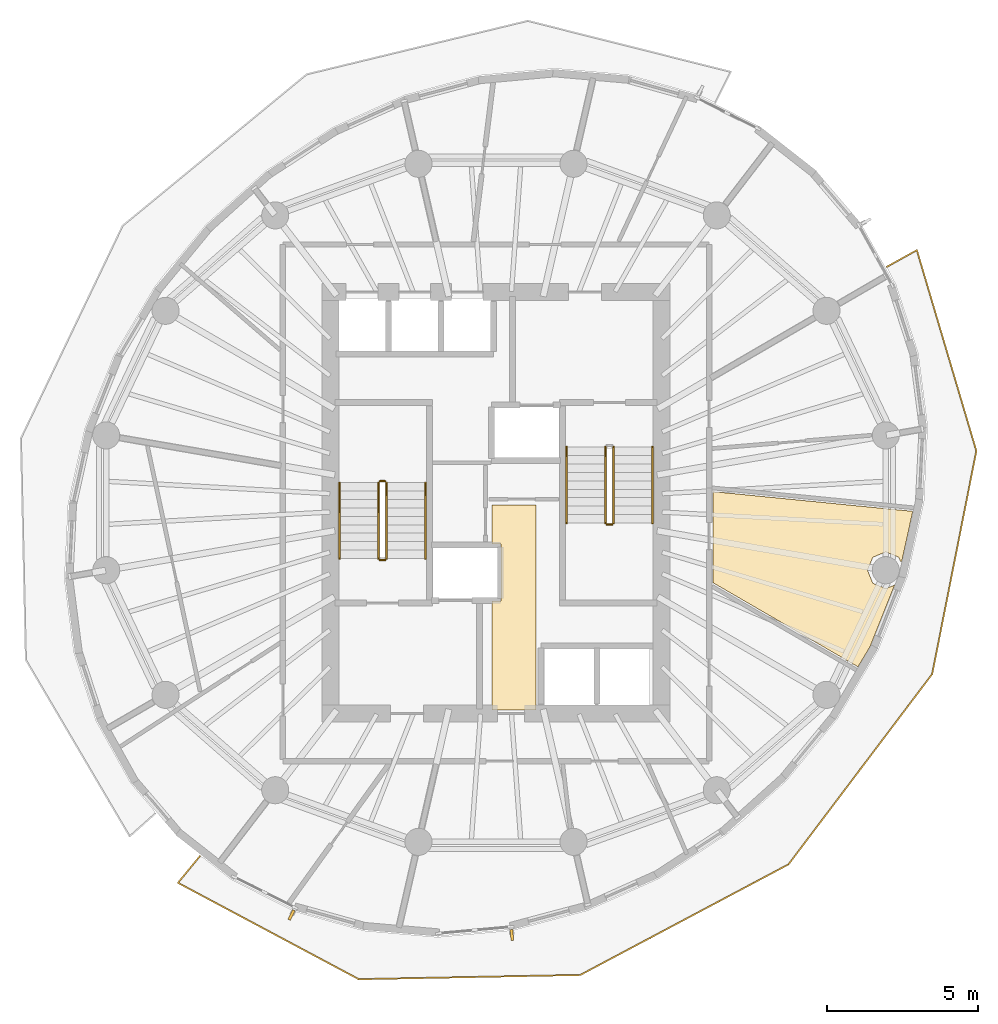
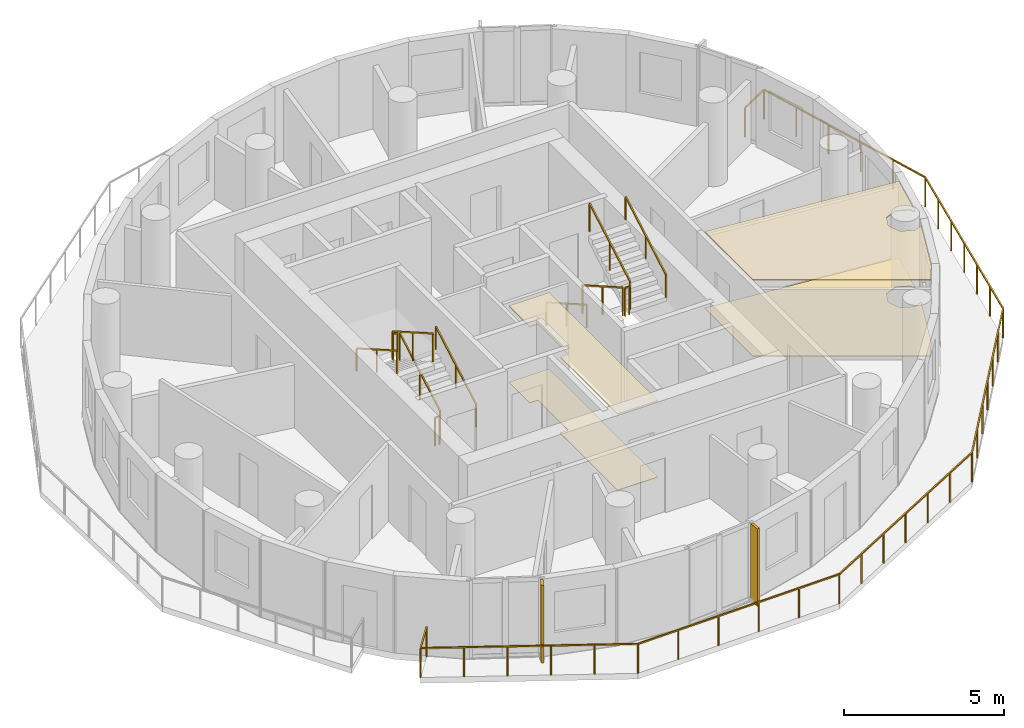
# One storey, part 8 of 10: 12 railings, 4 coverings, 2 shading devices.
"""IFC4 building model written with IfcOpenShell, lengths in metres."""

from ifc_helpers import new_model, si_unit, direction, frame, origin, origin_2d, place, context, subcontext, project, spatial, polyline, rectangle, outline, extrude, material, layer, layer_set, type_object, element, save


model = new_model("IFC4")

# Units and contexts
model_context = context("Model", 3, precision=1e-05, world=origin(), true_north=direction((0.0, 1.0)))
body_context = subcontext(model_context, "Body", "Model", "MODEL_VIEW")
ifc_project = project(units=[si_unit("LENGTHUNIT", "METRE"), si_unit("AREAUNIT", "SQUARE_METRE"), si_unit("VOLUMEUNIT", "CUBIC_METRE"), si_unit("PLANEANGLEUNIT", "RADIAN"), si_unit("MASSUNIT", "GRAM", prefix="KILO")], contexts=[model_context])

# Site, building, storey
site_placement = place(None, origin())
site = spatial("IfcSite", under=ifc_project, at=site_placement, CompositionType="ELEMENT")
building_placement = place(site_placement, origin())
building = spatial("IfcBuilding", under=site, at=building_placement, Name="Veldorim Arch Residences", CompositionType="ELEMENT")
storey_placement = place(building_placement, frame((0.0, 0.0, 185.43994140625)))
storey = spatial("IfcBuildingStorey", under=building, at=storey_placement, Name="L55", CompositionType="ELEMENT", Elevation=185.43994140625)

# Railings
ifc_material_1 = material(Name="Aluminium", Category="aluminium")
railing_type_1 = type_object("IfcRailingType", Name="Balcony & Terrace Laminated Glass Balustrade 1150", PredefinedType="BALUSTRADE", material=ifc_material_1)
railing_1_placement = place(storey_placement, frame((22.165283203125, 12.267822265625, 0.0)))
element("IfcRailing", 1, at=railing_1_placement, inside=storey, type_object=railing_type_1, Name="L55 crescent balcony safety balustrade B", PredefinedType="BALUSTRADE", context=body_context, shape_type="SweptSolid", body=[
    extrude(rectangle(XDim=0.048095703125, YDim=0.048095703125, at=origin_2d()), frame((0.0, 0.0, 1.1259765625), z_axis=(-0.63473942336, -0.772726254525, 0.0), x_axis=(0.772726254525, -0.63473942336, 0.0)), (0.0, 0.0, 1.0), 1.150146484375),
    extrude(rectangle(XDim=0.048095703125, YDim=0.048095703125, at=origin_2d()), frame((-0.72998046875, -0.888671875, 1.1259765625), z_axis=(0.882440269535, -0.470424458019, 0.0), x_axis=(0.470424458019, 0.882440269535, 0.0)), (0.0, 0.0, 1.0), 6.80908203125),
    extrude(rectangle(XDim=0.048095703125, YDim=0.048095703125, at=origin_2d()), frame((5.278564453125, -4.091796875, 1.1259765625), z_axis=(0.999813480167, 0.019313334178, 0.0), x_axis=(-0.019313334178, 0.999813480167, 0.0)), (0.0, 0.0, 1.0), 7.357177734375),
    extrude(rectangle(XDim=0.048095703125, YDim=0.048095703125, at=origin_2d()), frame((12.63427734375, -3.94970703125, 1.1259765625), z_axis=(0.883151640335, 0.469087603944, 0.0), x_axis=(-0.469087603944, 0.883151640335, 0.0)), (0.0, 0.0, 1.0), 7.831298828125),
    extrude(rectangle(XDim=0.048095703125, YDim=0.048095703125, at=origin_2d()), frame((19.550537109375, -0.276123046875, 1.1259765625), z_axis=(0.602542160694, 0.798087053263, 0.0), x_axis=(-0.798087053263, 0.602542160694, 0.0)), (0.0, 0.0, 1.0), 7.91943359375),
    extrude(rectangle(XDim=0.048095703125, YDim=0.048095703125, at=origin_2d()), frame((24.322265625, 6.044189453125, 1.1259765625), z_axis=(0.194176891155, 0.980966531, 0.0), x_axis=(-0.980966531, 0.194176891155, 0.0)), (0.0, 0.0, 1.0), 7.55517578125),
    extrude(rectangle(XDim=0.048095703125, YDim=0.048095703125, at=origin_2d()), frame((25.789306640625, 13.45556640625, 1.1259765625), z_axis=(-0.284062041239, 0.958805901488, 0.0), x_axis=(-0.958805901488, -0.284062041239, 0.0)), (0.0, 0.0, 1.0), 6.95654296875),
    extrude(rectangle(XDim=0.048095703125, YDim=0.048095703125, at=origin_2d()), frame((23.813232421875, 20.12548828125, 1.1259765625), z_axis=(-0.874547582746, -0.484939713278, 0.0), x_axis=(0.484939713278, -0.874547582746, 0.0)), (0.0, 0.0, 1.0), 1.14990234375),
    extrude(rectangle(XDim=0.0419921875, YDim=0.0419921875, at=origin_2d()), origin(), (0.0, 0.0, 1.0), 1.101806640625),
    extrude(rectangle(XDim=0.0419921875, YDim=0.0419921875, at=origin_2d()), frame((-0.72998046875, -0.888671875, 0.0)), (0.0, 0.0, 1.0), 1.101806640625),
    extrude(rectangle(XDim=0.0419921875, YDim=0.0419921875, at=origin_2d()), frame((0.4716796875, -1.529296875, 0.0)), (0.0, 0.0, 1.0), 1.101806640625),
    extrude(rectangle(XDim=0.0419921875, YDim=0.0419921875, at=origin_2d()), frame((1.67333984375, -2.169921875, 0.0)), (0.0, 0.0, 1.0), 1.101806640625),
    extrude(rectangle(XDim=0.0419921875, YDim=0.0419921875, at=origin_2d()), frame((2.875244140625, -2.810546875, 0.0)), (0.0, 0.0, 1.0), 1.101806640625),
    extrude(rectangle(XDim=0.0419921875, YDim=0.0419921875, at=origin_2d()), frame((4.076904296875, -3.451171875, 0.0)), (0.0, 0.0, 1.0), 1.101806640625),
    extrude(rectangle(XDim=0.0419921875, YDim=0.0419921875, at=origin_2d()), frame((5.278564453125, -4.091796875, 0.0)), (0.0, 0.0, 1.0), 1.101806640625),
    extrude(rectangle(XDim=0.0419921875, YDim=0.0419921875, at=origin_2d()), frame((6.749755859375, -4.0634765625, 0.0)), (0.0, 0.0, 1.0), 1.101806640625),
    extrude(rectangle(XDim=0.0419921875, YDim=0.0419921875, at=origin_2d()), frame((8.220947265625, -4.034912109375, 0.0)), (0.0, 0.0, 1.0), 1.101806640625),
    extrude(rectangle(XDim=0.0419921875, YDim=0.0419921875, at=origin_2d()), frame((9.69189453125, -4.006591796875, 0.0)), (0.0, 0.0, 1.0), 1.101806640625),
    extrude(rectangle(XDim=0.0419921875, YDim=0.0419921875, at=origin_2d()), frame((11.1630859375, -3.97802734375, 0.0)), (0.0, 0.0, 1.0), 1.101806640625),
    extrude(rectangle(XDim=0.0419921875, YDim=0.0419921875, at=origin_2d()), frame((12.63427734375, -3.94970703125, 0.0)), (0.0, 0.0, 1.0), 1.101806640625),
    extrude(rectangle(XDim=0.0419921875, YDim=0.0419921875, at=origin_2d()), frame((13.787109375, -3.33740234375, 0.0)), (0.0, 0.0, 1.0), 1.101806640625),
    extrude(rectangle(XDim=0.0419921875, YDim=0.0419921875, at=origin_2d()), frame((14.939697265625, -2.72509765625, 0.0)), (0.0, 0.0, 1.0), 1.101806640625),
    extrude(rectangle(XDim=0.0419921875, YDim=0.0419921875, at=origin_2d()), frame((16.09228515625, -2.11279296875, 0.0)), (0.0, 0.0, 1.0), 1.101806640625),
    extrude(rectangle(XDim=0.0419921875, YDim=0.0419921875, at=origin_2d()), frame((17.2451171875, -1.500732421875, 0.0)), (0.0, 0.0, 1.0), 1.101806640625),
    extrude(rectangle(XDim=0.0419921875, YDim=0.0419921875, at=origin_2d()), frame((18.39794921875, -0.888427734375, 0.0)), (0.0, 0.0, 1.0), 1.101806640625),
    extrude(rectangle(XDim=0.0419921875, YDim=0.0419921875, at=origin_2d()), frame((19.550537109375, -0.276123046875, 0.0)), (0.0, 0.0, 1.0), 1.101806640625),
    extrude(rectangle(XDim=0.0419921875, YDim=0.0419921875, at=origin_2d()), frame((20.345703125, 0.77734375, 0.0)), (0.0, 0.0, 1.0), 1.101806640625),
    extrude(rectangle(XDim=0.0419921875, YDim=0.0419921875, at=origin_2d()), frame((21.14111328125, 1.83056640625, 0.0)), (0.0, 0.0, 1.0), 1.101806640625),
    extrude(rectangle(XDim=0.0419921875, YDim=0.0419921875, at=origin_2d()), frame((21.9365234375, 2.884033203125, 0.0)), (0.0, 0.0, 1.0), 1.101806640625),
    extrude(rectangle(XDim=0.0419921875, YDim=0.0419921875, at=origin_2d()), frame((22.731689453125, 3.9375, 0.0)), (0.0, 0.0, 1.0), 1.101806640625),
    extrude(rectangle(XDim=0.0419921875, YDim=0.0419921875, at=origin_2d()), frame((23.52685546875, 4.99072265625, 0.0)), (0.0, 0.0, 1.0), 1.101806640625),
    extrude(rectangle(XDim=0.0419921875, YDim=0.0419921875, at=origin_2d()), frame((24.322265625, 6.044189453125, 0.0)), (0.0, 0.0, 1.0), 1.101806640625),
    extrude(rectangle(XDim=0.0419921875, YDim=0.0419921875, at=origin_2d()), frame((24.56689453125, 7.279296875, 0.0)), (0.0, 0.0, 1.0), 1.101806640625),
    extrude(rectangle(XDim=0.0419921875, YDim=0.0419921875, at=origin_2d()), frame((24.811279296875, 8.5146484375, 0.0)), (0.0, 0.0, 1.0), 1.101806640625),
    extrude(rectangle(XDim=0.0419921875, YDim=0.0419921875, at=origin_2d()), frame((25.0556640625, 9.75, 0.0)), (0.0, 0.0, 1.0), 1.101806640625),
    extrude(rectangle(XDim=0.0419921875, YDim=0.0419921875, at=origin_2d()), frame((25.30029296875, 10.985107421875, 0.0)), (0.0, 0.0, 1.0), 1.101806640625),
    extrude(rectangle(XDim=0.0419921875, YDim=0.0419921875, at=origin_2d()), frame((25.544921875, 12.22021484375, 0.0)), (0.0, 0.0, 1.0), 1.101806640625),
    extrude(rectangle(XDim=0.0419921875, YDim=0.0419921875, at=origin_2d()), frame((25.789306640625, 13.45556640625, 0.0)), (0.0, 0.0, 1.0), 1.101806640625),
    extrude(rectangle(XDim=0.0419921875, YDim=0.0419921875, at=origin_2d()), frame((25.39404296875, 14.78955078125, 0.0)), (0.0, 0.0, 1.0), 1.101806640625),
    extrude(rectangle(XDim=0.0419921875, YDim=0.0419921875, at=origin_2d()), frame((24.998779296875, 16.12353515625, 0.0)), (0.0, 0.0, 1.0), 1.101806640625),
    extrude(rectangle(XDim=0.0419921875, YDim=0.0419921875, at=origin_2d()), frame((24.603759765625, 17.45751953125, 0.0)), (0.0, 0.0, 1.0), 1.101806640625),
    extrude(rectangle(XDim=0.0419921875, YDim=0.0419921875, at=origin_2d()), frame((24.20849609375, 18.79150390625, 0.0)), (0.0, 0.0, 1.0), 1.101806640625),
    extrude(rectangle(XDim=0.0419921875, YDim=0.0419921875, at=origin_2d()), frame((23.813232421875, 20.12548828125, 0.0)), (0.0, 0.0, 1.0), 1.101806640625),
    extrude(rectangle(XDim=0.0419921875, YDim=0.0419921875, at=origin_2d()), frame((22.8076171875, 19.56787109375, 0.0)), (0.0, 0.0, 1.0), 1.101806640625),
])
ifc_material_2 = material(Name="Steel S355", Category="steel")
railing_type_2 = type_object("IfcRailingType", Name="Galvanised Steel Stair Safety Guardrail 1100", PredefinedType="GUARDRAIL", material=ifc_material_2)
railing_2_placement = place(storey_placement, frame((28.360107421875, 22.14990234375, 0.16015625)))
element("IfcRailing", 2, at=railing_2_placement, inside=storey, type_object=railing_type_2, Name="L55 ST-1 stair guard 1", PredefinedType="GUARDRAIL", context=body_context, shape_type="SweptSolid", body=[
    extrude(rectangle(XDim=0.048095703125, YDim=0.048095703125, at=origin_2d()), frame((0.0, 0.0, 1.076171875), z_axis=(0.0, 0.868253494771, 0.496120820787), x_axis=(-1.0, 0.0, 0.0)), (0.0, 0.0, 1.0), 2.90234375),
    extrude(rectangle(XDim=0.0419921875, YDim=0.0419921875, at=origin_2d()), origin(), (0.0, 0.0, 1.0), 1.052001953125),
    extrude(rectangle(XDim=0.0419921875, YDim=0.0419921875, at=origin_2d()), frame((0.0, 1.260009765625, 0.719970703125)), (0.0, 0.0, 1.0), 1.052001953125),
    extrude(rectangle(XDim=0.0419921875, YDim=0.0419921875, at=origin_2d()), frame((0.0, 2.52001953125, 1.43994140625)), (0.0, 0.0, 1.0), 1.052001953125),
])
railing_3_placement = place(storey_placement, frame((28.31005859375, 24.719970703125, 1.60009765625)))
element("IfcRailing", 3, at=railing_3_placement, inside=storey, type_object=railing_type_2, Name="L55 ST-1 stair guard 2", PredefinedType="GUARDRAIL", context=body_context, shape_type="SweptSolid", body=[
    extrude(rectangle(XDim=0.048095703125, YDim=0.048095703125, at=origin_2d()), frame((0.0, 0.0, 1.076171875), z_axis=(-1.0, 0.0, 0.0), x_axis=(0.0, -1.0, 0.0)), (0.0, 0.0, 1.0), 0.16015625),
    extrude(rectangle(XDim=0.0419921875, YDim=0.0419921875, at=origin_2d()), origin(), (0.0, 0.0, 1.0), 1.052001953125),
    extrude(rectangle(XDim=0.0419921875, YDim=0.0419921875, at=origin_2d()), frame((-0.16015625, 0.0, 0.0)), (0.0, 0.0, 1.0), 1.052001953125),
])
railing_4_placement = place(storey_placement, frame((28.10009765625, 24.669921875, 1.760009765625)))
element("IfcRailing", 4, at=railing_4_placement, inside=storey, type_object=railing_type_2, Name="L55 ST-1 stair guard 3", PredefinedType="GUARDRAIL", context=body_context, shape_type="SweptSolid", body=[
    extrude(rectangle(XDim=0.048095703125, YDim=0.048095703125, at=origin_2d()), frame((0.0, 0.0, 1.076171875), z_axis=(0.0, -0.868253494771, 0.496120820787), x_axis=(1.0, 0.0, 0.0)), (0.0, 0.0, 1.0), 2.90234375),
    extrude(rectangle(XDim=0.0419921875, YDim=0.0419921875, at=origin_2d()), origin(), (0.0, 0.0, 1.0), 1.052001953125),
    extrude(rectangle(XDim=0.0419921875, YDim=0.0419921875, at=origin_2d()), frame((0.0, -1.260009765625, 0.719970703125)), (0.0, 0.0, 1.0), 1.052001953125),
    extrude(rectangle(XDim=0.0419921875, YDim=0.0419921875, at=origin_2d()), frame((0.0, -2.52001953125, 1.43994140625)), (0.0, 0.0, 1.0), 1.052001953125),
])
railing_5_placement = place(storey_placement, frame((28.31005859375, 22.10009765625, 0.0)))
element("IfcRailing", 5, at=railing_5_placement, inside=storey, type_object=railing_type_2, Name="L55 ST-1 stair guard 4", PredefinedType="GUARDRAIL", context=body_context, shape_type="SweptSolid", body=[
    extrude(rectangle(XDim=0.048095703125, YDim=0.048095703125, at=origin_2d()), frame((0.0, 0.0, 1.076171875), z_axis=(-1.0, 0.0, 0.0), x_axis=(0.0, -1.0, 0.0)), (0.0, 0.0, 1.0), 0.16015625),
    extrude(rectangle(XDim=0.0419921875, YDim=0.0419921875, at=origin_2d()), origin(), (0.0, 0.0, 1.0), 1.052001953125),
    extrude(rectangle(XDim=0.0419921875, YDim=0.0419921875, at=origin_2d()), frame((-0.16015625, 0.0, 0.0)), (0.0, 0.0, 1.0), 1.052001953125),
])
railing_6_placement = place(storey_placement, frame((35.639892578125, 25.85009765625, 0.16015625)))
element("IfcRailing", 6, at=railing_6_placement, inside=storey, type_object=railing_type_2, Name="L55 ST-2 stair guard 1", PredefinedType="GUARDRAIL", context=body_context, shape_type="SweptSolid", body=[
    extrude(rectangle(XDim=0.048095703125, YDim=0.048095703125, at=origin_2d()), frame((0.0, 0.0, 1.076171875), z_axis=(0.0, -0.868253494771, 0.496120820787), x_axis=(1.0, 0.0, 0.0)), (0.0, 0.0, 1.0), 2.90234375),
    extrude(rectangle(XDim=0.0419921875, YDim=0.0419921875, at=origin_2d()), origin(), (0.0, 0.0, 1.0), 1.052001953125),
    extrude(rectangle(XDim=0.0419921875, YDim=0.0419921875, at=origin_2d()), frame((0.0, -1.260009765625, 0.719970703125)), (0.0, 0.0, 1.0), 1.052001953125),
    extrude(rectangle(XDim=0.0419921875, YDim=0.0419921875, at=origin_2d()), frame((0.0, -2.52001953125, 1.43994140625)), (0.0, 0.0, 1.0), 1.052001953125),
])
railing_7_placement = place(storey_placement, frame((35.68994140625, 23.280029296875, 1.60009765625)))
element("IfcRailing", 7, at=railing_7_placement, inside=storey, type_object=railing_type_2, Name="L55 ST-2 stair guard 2", PredefinedType="GUARDRAIL", context=body_context, shape_type="SweptSolid", body=[
    extrude(rectangle(XDim=0.048095703125, YDim=0.048095703125, at=origin_2d()), frame((0.0, 0.0, 1.076171875), z_axis=(1.0, 0.0, 0.0), x_axis=(0.0, 1.0, 0.0)), (0.0, 0.0, 1.0), 0.16015625),
    extrude(rectangle(XDim=0.0419921875, YDim=0.0419921875, at=origin_2d()), origin(), (0.0, 0.0, 1.0), 1.052001953125),
    extrude(rectangle(XDim=0.0419921875, YDim=0.0419921875, at=origin_2d()), frame((0.16015625, 0.0, 0.0)), (0.0, 0.0, 1.0), 1.052001953125),
])
railing_8_placement = place(storey_placement, frame((35.89990234375, 23.330078125, 1.760009765625)))
element("IfcRailing", 8, at=railing_8_placement, inside=storey, type_object=railing_type_2, Name="L55 ST-2 stair guard 3", PredefinedType="GUARDRAIL", context=body_context, shape_type="SweptSolid", body=[
    extrude(rectangle(XDim=0.048095703125, YDim=0.048095703125, at=origin_2d()), frame((0.0, 0.0, 1.076171875), z_axis=(0.0, 0.868253494771, 0.496120820787), x_axis=(-1.0, 0.0, 0.0)), (0.0, 0.0, 1.0), 2.90234375),
    extrude(rectangle(XDim=0.0419921875, YDim=0.0419921875, at=origin_2d()), origin(), (0.0, 0.0, 1.0), 1.052001953125),
    extrude(rectangle(XDim=0.0419921875, YDim=0.0419921875, at=origin_2d()), frame((0.0, 1.260009765625, 0.719970703125)), (0.0, 0.0, 1.0), 1.052001953125),
    extrude(rectangle(XDim=0.0419921875, YDim=0.0419921875, at=origin_2d()), frame((0.0, 2.52001953125, 1.43994140625)), (0.0, 0.0, 1.0), 1.052001953125),
])

# Coverings
ifc_material_3 = material(Name="Acoustic Gypsum & Mineral Fibre", Category="gypsum")
ifc_layer_1 = layer(ifc_material_3, 0.034912109375, Name="Perforated Acoustic Mineral-Fibre Ceiling 35")
ifc_layer_set_1 = layer_set([ifc_layer_1], Name="Acoustic Gypsum & Mineral Fibre")
covering_type_1 = type_object("IfcCoveringType", Name="Perforated Acoustic Mineral-Fibre Ceiling 35", PredefinedType="CEILING", material=ifc_layer_set_1)
covering_1_placement = place(storey_placement, frame((0.0, 0.0, 2.905029296875)))
element("IfcCovering", 9, at=covering_1_placement, inside=storey, type_object=covering_type_1, Name="L55 acoustic suspended ceiling 01", PredefinedType="CEILING", context=body_context, shape_type="SweptSolid", body=[
    extrude(outline(polyline([(33.330078125, 23.929931640625), (33.330078125, 17.1201171875), (31.8701171875, 17.1201171875), (31.8701171875, 20.735107421875), (32.169921875, 20.735107421875), (32.169921875, 22.625), (31.8701171875, 22.625), (31.8701171875, 23.929931640625), (33.330078125, 23.929931640625)])), origin(), (0.0, 0.0, 1.0), 0.034912109375),
])
covering_2_placement = place(storey_placement, frame((0.0, 0.0, 2.905029296875)))
element("IfcCovering", 10, at=covering_2_placement, inside=storey, type_object=covering_type_1, Name="L55 acoustic suspended ceiling 02", PredefinedType="CEILING", context=body_context, shape_type="SweptSolid", body=[
    extrude(outline(polyline([(44.4267578125, 19.233642578125), (44.023193359375, 18.5537109375), (39.199951171875, 21.3505859375), (39.199951171875, 24.373779296875), (45.841796875, 23.717529296875), (45.471435546875, 22.04248046875), (45.43701171875, 22.048583984375), (45.377685546875, 22.191650390625), (44.9462890625, 22.370361328125), (44.51513671875, 22.191650390625), (44.33642578125, 21.760498046875), (44.51513671875, 21.3291015625), (44.9462890625, 21.150390625), (45.239013671875, 21.271728515625), (44.4267578125, 19.233642578125)])), origin(), (0.0, 0.0, 1.0), 0.034912109375),
])
ifc_material_4 = material(Name="Porcelain Ceramic Tile", Category="ceramic")
ifc_layer_2 = layer(ifc_material_4, 0.02001953125, Name="Slip-Resistant Porcelain & Vinyl Floor Finish 20")
ifc_layer_set_2 = layer_set([ifc_layer_2], Name="Porcelain Ceramic Tile")
covering_type_2 = type_object("IfcCoveringType", Name="Slip-Resistant Porcelain & Vinyl Floor Finish 20", PredefinedType="FLOORING", material=ifc_layer_set_2)
covering_3_placement = place(storey_placement, origin())
element("IfcCovering", 11, at=covering_3_placement, inside=storey, type_object=covering_type_2, Name="L55 porcelain floor finish 01", PredefinedType="FLOORING", context=body_context, shape_type="SweptSolid", body=[
    extrude(outline(polyline([(33.330078125, 23.929931640625), (33.330078125, 17.1201171875), (31.8701171875, 17.1201171875), (31.8701171875, 20.735107421875), (32.169921875, 20.735107421875), (32.169921875, 22.625), (31.8701171875, 22.625), (31.8701171875, 23.929931640625), (33.330078125, 23.929931640625)])), origin(), (0.0, 0.0, 1.0), 0.02001953125),
])
covering_4_placement = place(storey_placement, origin())
element("IfcCovering", 12, at=covering_4_placement, inside=storey, type_object=covering_type_2, Name="L55 porcelain floor finish 02", PredefinedType="FLOORING", context=body_context, shape_type="SweptSolid", body=[
    extrude(outline(polyline([(44.4267578125, 19.233642578125), (44.023193359375, 18.5537109375), (39.199951171875, 21.3505859375), (39.199951171875, 24.373779296875), (45.841796875, 23.717529296875), (45.471435546875, 22.04248046875), (45.43701171875, 22.048583984375), (45.377685546875, 22.191650390625), (44.9462890625, 22.370361328125), (44.51513671875, 22.191650390625), (44.33642578125, 21.760498046875), (44.51513671875, 21.3291015625), (44.9462890625, 21.150390625), (45.239013671875, 21.271728515625), (44.4267578125, 19.233642578125)])), origin(), (0.0, 0.0, 1.0), 0.02001953125),
])

# Railings
ifc_material_5 = material(Name="Stainless Steel", Category="steel")
railing_type_3 = type_object("IfcRailingType", Name="Tubular Steel Continuous Wall Handrail 900", PredefinedType="HANDRAIL", material=ifc_material_5)
railing_9_placement = place(storey_placement, frame((29.659912109375, 22.14990234375, 0.16015625)))
element("IfcRailing", 13, at=railing_9_placement, inside=storey, type_object=railing_type_3, Name="L55 ST-1 stair handrail 1", PredefinedType="HANDRAIL", context=body_context, shape_type="SweptSolid", body=[
    extrude(rectangle(XDim=0.048095703125, YDim=0.048095703125, at=origin_2d()), frame((0.0, 0.0, 0.8759765625), z_axis=(0.0, 0.868253494771, 0.496120820787), x_axis=(-1.0, 0.0, 0.0)), (0.0, 0.0, 1.0), 2.90234375),
    extrude(rectangle(XDim=0.0419921875, YDim=0.0419921875, at=origin_2d()), origin(), (0.0, 0.0, 1.0), 0.851806640625),
    extrude(rectangle(XDim=0.0419921875, YDim=0.0419921875, at=origin_2d()), frame((0.0, 1.260009765625, 0.719970703125)), (0.0, 0.0, 1.0), 0.851806640625),
    extrude(rectangle(XDim=0.0419921875, YDim=0.0419921875, at=origin_2d()), frame((0.0, 2.52001953125, 1.43994140625)), (0.0, 0.0, 1.0), 0.851806640625),
])
for number, where, name in (
    (14, (26.800048828125, 24.669921875, 1.760009765625), "L55 ST-1 stair handrail 2"),
    (15, (34.340087890625, 25.85009765625, 0.16015625), "L55 ST-2 stair handrail 1"),
):
    element("IfcRailing", number, at=place(storey_placement, frame(where)), inside=storey, type_object=railing_type_3, Name=name, PredefinedType="HANDRAIL", context=body_context, shape_type="SweptSolid", body=[
        extrude(rectangle(XDim=0.048095703125, YDim=0.048095703125, at=origin_2d()), frame((0.0, 0.0, 0.8759765625), z_axis=(0.0, -0.868253494771, 0.496120820787), x_axis=(1.0, 0.0, 0.0)), (0.0, 0.0, 1.0), 2.90234375),
        extrude(rectangle(XDim=0.0419921875, YDim=0.0419921875, at=origin_2d()), origin(), (0.0, 0.0, 1.0), 0.851806640625),
        extrude(rectangle(XDim=0.0419921875, YDim=0.0419921875, at=origin_2d()), frame((0.0, -1.260009765625, 0.719970703125)), (0.0, 0.0, 1.0), 0.851806640625),
        extrude(rectangle(XDim=0.0419921875, YDim=0.0419921875, at=origin_2d()), frame((0.0, -2.52001953125, 1.43994140625)), (0.0, 0.0, 1.0), 0.851806640625),
    ])
railing_10_placement = place(storey_placement, frame((37.199951171875, 23.330078125, 1.760009765625)))
element("IfcRailing", 16, at=railing_10_placement, inside=storey, type_object=railing_type_3, Name="L55 ST-2 stair handrail 2", PredefinedType="HANDRAIL", context=body_context, shape_type="SweptSolid", body=[
    extrude(rectangle(XDim=0.048095703125, YDim=0.048095703125, at=origin_2d()), frame((0.0, 0.0, 0.8759765625), z_axis=(0.0, 0.868253494771, 0.496120820787), x_axis=(-1.0, 0.0, 0.0)), (0.0, 0.0, 1.0), 2.90234375),
    extrude(rectangle(XDim=0.0419921875, YDim=0.0419921875, at=origin_2d()), origin(), (0.0, 0.0, 1.0), 0.851806640625),
    extrude(rectangle(XDim=0.0419921875, YDim=0.0419921875, at=origin_2d()), frame((0.0, 1.260009765625, 0.719970703125)), (0.0, 0.0, 1.0), 0.851806640625),
    extrude(rectangle(XDim=0.0419921875, YDim=0.0419921875, at=origin_2d()), frame((0.0, 2.52001953125, 1.43994140625)), (0.0, 0.0, 1.0), 0.851806640625),
])

# Shading devices
ifc_material_6 = material(Name="Terracotta Ceramic", Category="masonry")
ifc_layer_3 = layer(ifc_material_6, 0.090087890625, Name="Vertical Extruded Terracotta Baguette Sun-Shading Fin")
ifc_layer_set_3 = layer_set([ifc_layer_3], Name="Terracotta Ceramic")
shading_device_type = type_object("IfcShadingDeviceType", Name="Vertical Extruded Terracotta Baguette Sun-Shading Fin", PredefinedType="USERDEFINED", material=ifc_layer_set_3)
for number, where, z_axis, x_axis, name in (
    (17, (25.20849609375, 10.31005859375, 0.0), (0.0, 0.0, 1.0), (-0.893606528733, 0.448851168881, 0.0), "L55 vertical terracotta sun-shading fin 20"),
    (18, (32.52783203125, 9.644775390625, 0.0), (0.0, 0.0, 1.0), (-0.995900201817, -0.090458764201, 0.0), "L55 vertical terracotta sun-shading fin 23"),
):
    element("IfcShadingDevice", number, at=place(storey_placement, frame(where, z_axis=z_axis, x_axis=x_axis)), inside=storey, type_object=shading_device_type, Name=name, ObjectType="FIN", PredefinedType="USERDEFINED", context=body_context, shape_type="SweptSolid", body=[
        extrude(rectangle(XDim=0.090087890625, YDim=0.360107421875, at=origin_2d()), origin(), (0.0, 0.0, 1.0), 2.9599609375),
    ])

save(model, "model.ifc")
